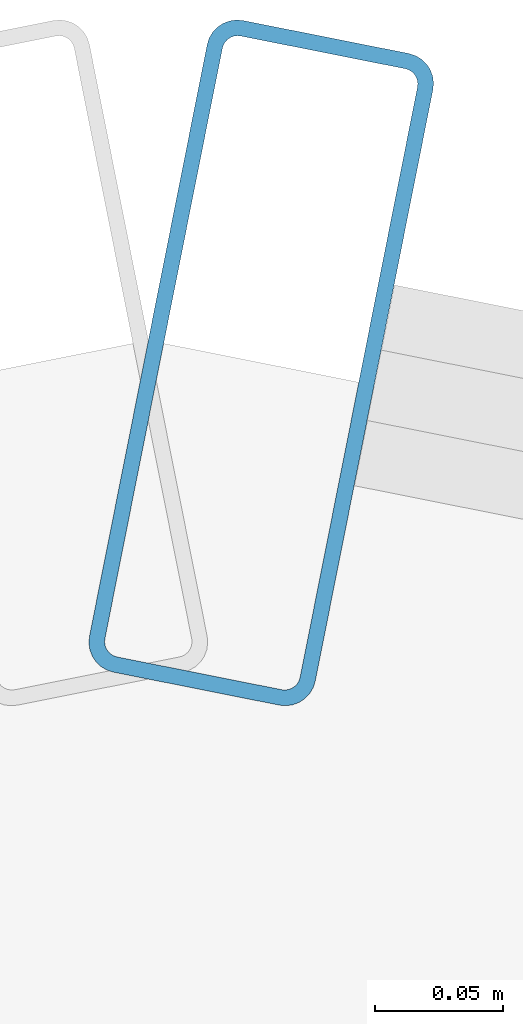
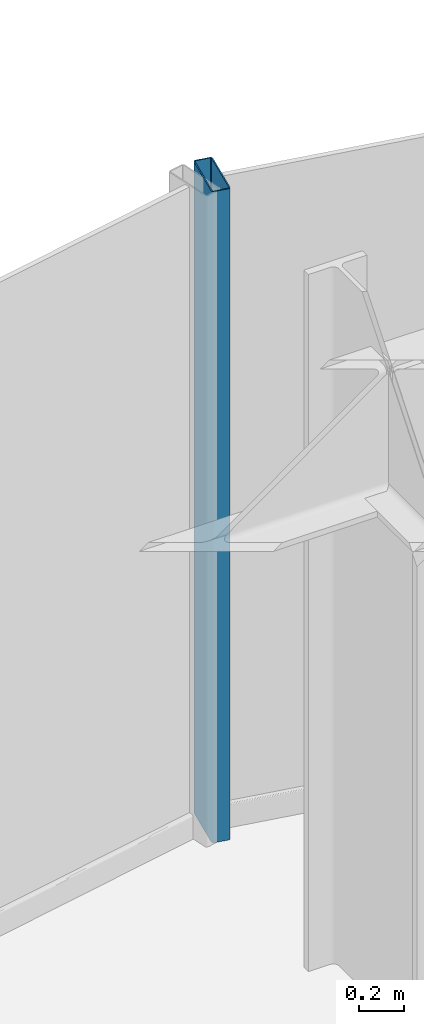
# One storey, part 15 of 27: 1 member, 1 element without a shape of its own.
"""IFC4 building model written with IfcOpenShell, lengths in metres."""

from ifc_helpers import new_model, si_unit, direction, frame, origin, origin_2d, place, context, subcontext, project, spatial, hollow_rectangle, extrude, source, transform, mapped, material, layer, layer_set, material_profile, profile_set, type_object, element, aggregate, save


model = new_model("IFC4")

# Units and contexts
model_context = context("Model", 3, precision=1e-05, world=origin(), true_north=direction((0.0, 1.0)))
body_context = subcontext(model_context, "Body", "Model", "MODEL_VIEW")
ifc_project = project(units=[si_unit("LENGTHUNIT", "METRE"), si_unit("AREAUNIT", "SQUARE_METRE"), si_unit("VOLUMEUNIT", "CUBIC_METRE"), si_unit("PLANEANGLEUNIT", "RADIAN"), si_unit("MASSUNIT", "GRAM", prefix="KILO")], contexts=[model_context])

# Site, building, storey
site_placement = place(None, origin())
site = spatial("IfcSite", under=ifc_project, at=site_placement, CompositionType="ELEMENT")
building_placement = place(site_placement, origin())
building = spatial("IfcBuilding", under=site, at=building_placement, Name="Nefas-Gora Pilgrimage Tower", CompositionType="ELEMENT")
storey_placement = place(building_placement, frame((0.0, 0.0, 48.199951171875)))
storey = spatial("IfcBuildingStorey", under=building, at=storey_placement, Name="L10", CompositionType="ELEMENT", Elevation=48.199951171875)

# Curtain wall, member
ifc_material_1 = material(Name="Dark ceramic-fritted solar-control aluminium-glass curtain wall", Category="aluminium")
ifc_layer = layer(ifc_material_1, 0.219970703125)
ifc_layer_set = layer_set([ifc_layer], Name="Dark ceramic-fritted solar-control aluminium-glass curtain wall")
curtain_wall_type = type_object("IfcCurtainWallType", Name="CW-SYS-5", PredefinedType="NOTDEFINED", material=ifc_layer_set)
curtain_wall_placement = place(storey_placement, origin())
curtain_wall = element("IfcCurtainWall", 1, at=curtain_wall_placement, inside=storey, type_object=curtain_wall_type, Name="L10 Unitised Curtain Wall CW5", PredefinedType="NOTDEFINED")
ifc_material_2 = material(Name="Anodised architectural aluminium", Category="aluminium")
ifc_material_profile = material_profile(ifc_material_2, hollow_rectangle(XDim=0.090087890625, YDim=0.260009765625, WallThickness=0.006103515625, InnerFilletRadius=0.006103515625, OuterFilletRadius=0.011962890625, at=origin_2d()), Name="ALU MULLION 90x260")
ifc_profile_set = profile_set([ifc_material_profile], Name="Anodised architectural aluminium")
member_type = type_object("IfcMemberType", Name="CWM-MUL-5", PredefinedType="MULLION", material=ifc_profile_set)
shared_shape = source(origin(), body_context, "Body", "SweptSolid", [
    extrude(hollow_rectangle(XDim=0.090087890625, YDim=0.260009765625, WallThickness=0.006103515625, InnerFilletRadius=0.006103515625, OuterFilletRadius=0.011962890625, at=origin_2d()), origin(), (0.0, 0.0, 1.0), 3.550048828125),
])
member_placement = place(storey_placement, frame((-2.205810546875, 24.16357421875, 0.0), z_axis=(0.0, 0.0, 1.0), x_axis=(-0.980782896852, 0.195102304554, 0.0)))
member = element("IfcMember", 2, at=member_placement, type_object=member_type, Name="CW5 Mullion 2", PredefinedType="MULLION", context=body_context, shape_type="MappedRepresentation", body=[
    mapped(shared_shape, transform((0.0, 0.0, 0.0), x_axis=(1.0, 0.0, 0.0), y_axis=(0.0, 1.0, 0.0), z_axis=(0.0, 0.0, 1.0), scale=1.0)),
])
aggregate(curtain_wall, [member])

save(model, "model.ifc")
